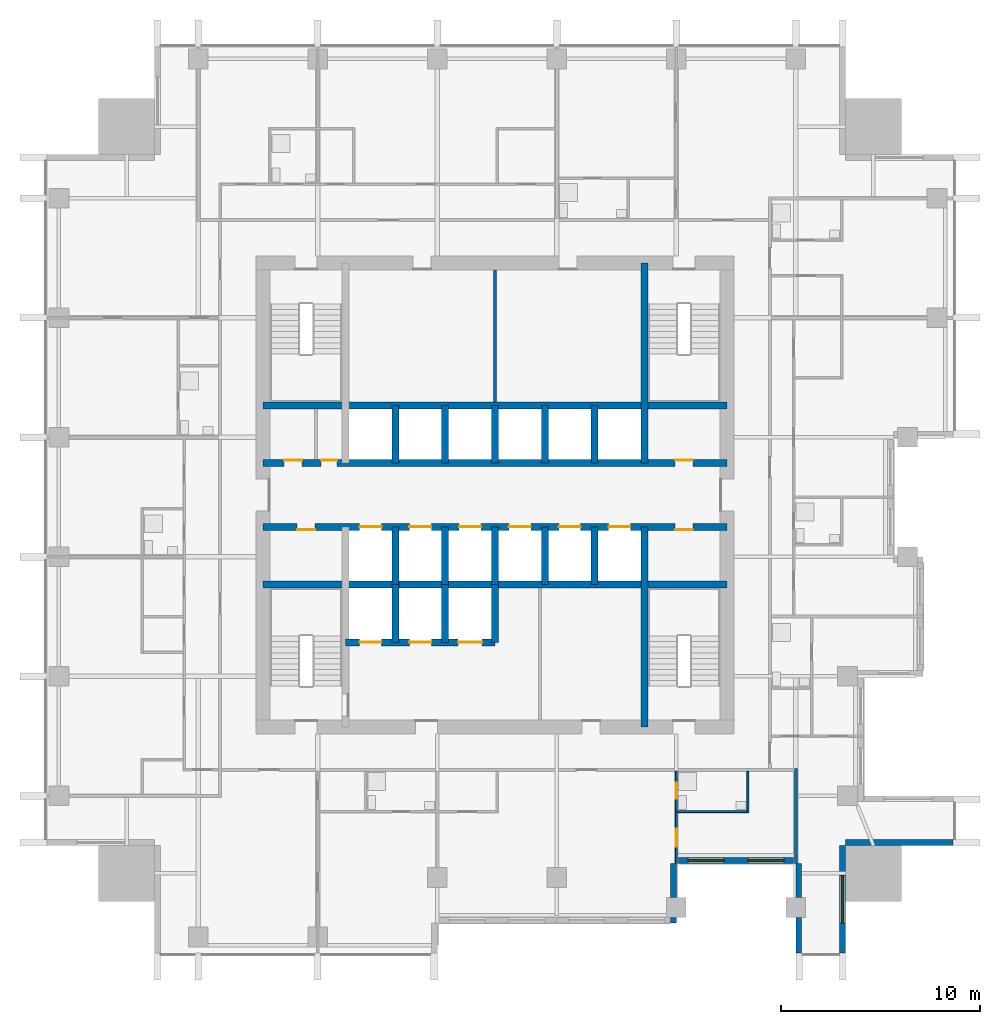
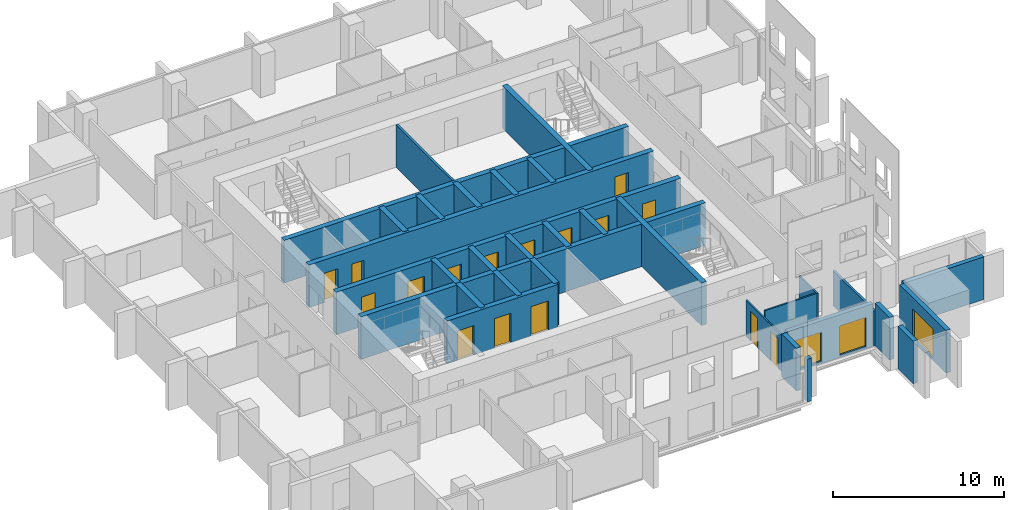
# One storey, part 5 of 11: 32 walls, 16 doors, 3 windows, 19 openings.
"""IFC4 building model written with IfcOpenShell, lengths in metres."""

from ifc_helpers import new_model, si_unit, direction, frame, frame_2d, origin, place, context, subcontext, project, spatial, rectangle, extrude, material, layer, layer_set, type_object, element, fill, save


model = new_model("IFC4")

# Units and contexts
model_context = context("Model", 3, precision=1e-05, world=origin(), true_north=direction((0.0, 1.0)))
body_context = subcontext(model_context, "Body", "Model", "MODEL_VIEW")
ifc_project = project(units=[si_unit("LENGTHUNIT", "METRE"), si_unit("AREAUNIT", "SQUARE_METRE"), si_unit("VOLUMEUNIT", "CUBIC_METRE"), si_unit("PLANEANGLEUNIT", "RADIAN"), si_unit("MASSUNIT", "GRAM", prefix="KILO")], contexts=[model_context])

# Site, building, storey
site_placement = place(None, origin())
site = spatial("IfcSite", under=ifc_project, at=site_placement, CompositionType="ELEMENT")
building_placement = place(site_placement, origin())
building = spatial("IfcBuilding", under=site, at=building_placement, Name="Amberfall Residences", CompositionType="ELEMENT")
storey_placement = place(building_placement, frame((0.0, 0.0, 143.800048828125)))
storey = spatial("IfcBuildingStorey", under=building, at=storey_placement, Name="L38", CompositionType="ELEMENT", Elevation=143.800048828125)

# Walls
ifc_material_1 = material(Name="Pale stone cladding on insulated backing", Category="masonry")
ifc_layer_1 = layer(ifc_material_1, 0.300048828125)
ifc_layer_set_1 = layer_set([ifc_layer_1], Name="Bronze clad wall 300")
wall_type_1 = type_object("IfcWallType", Name="Bronze clad wall 300", PredefinedType="SOLIDWALL", material=ifc_layer_set_1)
wall_1_placement = place(storey_placement, frame((83.449951171875, 24.0, 0.0), z_axis=(0.0, 0.0, 1.0), x_axis=(0.0, 1.0, 0.0)))
element("IfcWall", 1, at=wall_1_placement, inside=storey, type_object=wall_type_1, Name="External wall L38 S", PredefinedType="SOLIDWALL", context=body_context, shape_type="SweptSolid", body=[
    extrude(rectangle(XDim=0.300048828125, YDim=0.300048828125, at=frame_2d((0.14990234375, 0.0))), origin(), (0.0, 0.0, 1.0), 3.050048828125),
])
for number, where, z_axis, x_axis, name in (
    (2, (83.449951171875, 25.300048828125, 0.0), (0.0, 0.0, 1.0), (0.0, 1.0, 0.0), "External wall L38 S"),
    (3, (89.75, 27.0, 0.0), (0.0, 0.0, 1.0), (0.0, -1.0, 0.0), "External wall L38 S"),
):
    element("IfcWall", number, at=place(storey_placement, frame(where, z_axis=z_axis, x_axis=x_axis)), inside=storey, type_object=wall_type_1, Name=name, PredefinedType="SOLIDWALL", context=body_context, shape_type="SweptSolid", body=[
        extrude(rectangle(XDim=1.699951171875, YDim=0.300048828125, at=frame_2d((0.85009765625, 0.0))), origin(), (0.0, 0.0, 1.0), 3.050048828125),
    ])
wall_2_placement = place(storey_placement, frame((89.75, 24.300048828125, 0.0), z_axis=(0.0, 0.0, 1.0), x_axis=(0.0, -1.0, 0.0)))
element("IfcWall", 4, at=wall_2_placement, inside=storey, type_object=wall_type_1, Name="External wall L38 S", PredefinedType="SOLIDWALL", context=body_context, shape_type="SweptSolid", body=[
    extrude(rectangle(XDim=1.800048828125, YDim=0.300048828125, at=frame_2d((0.89990234375, 0.0))), origin(), (0.0, 0.0, 1.0), 3.050048828125),
])

# Wall, opening, window
wall_3_placement = place(storey_placement, frame((91.949951171875, 22.5, 0.0), z_axis=(0.0, 0.0, 1.0), x_axis=(0.0, 1.0, 0.0)))
wall_3 = element("IfcWall", 5, at=wall_3_placement, inside=storey, type_object=wall_type_1, Name="External wall L38 SE", PredefinedType="SOLIDWALL", context=body_context, shape_type="SweptSolid", body=[
    extrude(rectangle(XDim=5.39990234375, YDim=0.300048828125, at=frame_2d((2.699951171875, 0.0))), origin(), (0.0, 0.0, 1.0), 3.050048828125),
])
opening_1_placement = place(wall_3_placement, frame((1.5, 0.0, 0.14990234375)))
opening_1 = element("IfcOpeningElement", 6, at=opening_1_placement, cuts=wall_3, Name="Opening WN5", PredefinedType="OPENING", context=body_context, shape_type="SweptSolid", body=[
    extrude(rectangle(XDim=2.39990234375, YDim=2.10009765625, at=frame_2d((1.199951171875, 1.050048828125))), frame((0.0, 0.159912109375, 0.0), z_axis=(0.0, -1.0, 0.0), x_axis=(1.0, 0.0, 0.0)), (0.0, 0.0, 1.0), 0.320068359375),
])
ifc_material_2 = material(Name="Bronze aluminium framed glazing", Category="aluminium")
window_type_1 = type_object("IfcWindowType", Name="Glazed opening 2400 x 2100 bronze", PartitioningType="DOUBLE_PANEL_VERTICAL", PredefinedType="WINDOW", material=ifc_material_2)
window_1_placement = place(opening_1_placement, origin())
window_1 = element("IfcWindow", 7, at=window_1_placement, inside=storey, type_object=window_type_1, Name="Window L38 SE", OverallHeight=2.10009765625, OverallWidth=2.39990234375, PartitioningType="DOUBLE_PANEL_VERTICAL", PredefinedType="WINDOW", context=body_context, shape_type="SweptSolid", body=[
    extrude(rectangle(XDim=2.39990234375, YDim=2.10009765625, at=frame_2d((1.199951171875, 1.050048828125))), frame((0.0, 0.030029296875, 0.0), z_axis=(0.0, -1.0, 0.0), x_axis=(1.0, 0.0, 0.0)), (0.0, 0.0, 1.0), 0.06005859375),
])
fill(opening_1, window_1)

# Wall
wall_4_placement = place(storey_placement, frame((92.10009765625, 28.050048828125, 0.0), z_axis=(0.0, 0.0, 1.0), x_axis=(1.0, 0.0, 0.0)))
element("IfcWall", 8, at=wall_4_placement, inside=storey, type_object=wall_type_1, Name="External wall L38 SE", PredefinedType="SOLIDWALL", context=body_context, shape_type="SweptSolid", body=[
    extrude(rectangle(XDim=5.39990234375, YDim=0.300048828125, at=frame_2d((2.699951171875, 0.0))), origin(), (0.0, 0.0, 1.0), 3.050048828125),
])

# Wall, openings, windows
wall_5_placement = place(storey_placement, frame((83.699951171875, 27.14990234375, 0.0), z_axis=(0.0, 0.0, 1.0), x_axis=(1.0, 0.0, 0.0)))
wall_5 = element("IfcWall", 9, at=wall_5_placement, inside=storey, type_object=wall_type_1, Name="Stone wall L38 S", PredefinedType="SOLIDWALL", context=body_context, shape_type="SweptSolid", body=[
    extrude(rectangle(XDim=5.7900390625, YDim=0.300048828125, at=frame_2d((2.89501953125, 0.0))), origin(), (0.0, 0.0, 1.0), 3.050048828125),
])
opening_2_placement = place(wall_5_placement, frame((0.5, 0.0, 0.14990234375)))
opening_2 = element("IfcOpeningElement", 10, at=opening_2_placement, cuts=wall_5, Name="Opening WN6", PredefinedType="OPENING", context=body_context, shape_type="SweptSolid", body=[
    extrude(rectangle(XDim=1.800048828125, YDim=2.10009765625, at=frame_2d((0.89990234375, 1.050048828125))), frame((0.0, 0.159912109375, 0.0), z_axis=(0.0, -1.0, 0.0), x_axis=(1.0, 0.0, 0.0)), (0.0, 0.0, 1.0), 0.320068359375),
])
opening_3_placement = place(wall_5_placement, frame((3.5, 0.0, 0.14990234375)))
opening_3 = element("IfcOpeningElement", 11, at=opening_3_placement, cuts=wall_5, Name="Opening WN6", PredefinedType="OPENING", context=body_context, shape_type="SweptSolid", body=[
    extrude(rectangle(XDim=1.800048828125, YDim=2.10009765625, at=frame_2d((0.89990234375, 1.050048828125))), frame((0.0, 0.159912109375, 0.0), z_axis=(0.0, -1.0, 0.0), x_axis=(1.0, 0.0, 0.0)), (0.0, 0.0, 1.0), 0.320068359375),
])
window_type_2 = type_object("IfcWindowType", Name="Glazed opening 1800 x 2100 bronze", PartitioningType="DOUBLE_PANEL_VERTICAL", PredefinedType="WINDOW", material=ifc_material_2)
window_2_placement = place(opening_2_placement, origin())
window_2 = element("IfcWindow", 12, at=window_2_placement, inside=storey, type_object=window_type_2, Name="Window L38 S", OverallHeight=2.10009765625, OverallWidth=1.800048828125, PartitioningType="DOUBLE_PANEL_VERTICAL", PredefinedType="WINDOW", context=body_context, shape_type="SweptSolid", body=[
    extrude(rectangle(XDim=1.800048828125, YDim=2.10009765625, at=frame_2d((0.89990234375, 1.050048828125))), frame((0.0, 0.030029296875, 0.0), z_axis=(0.0, -1.0, 0.0), x_axis=(1.0, 0.0, 0.0)), (0.0, 0.0, 1.0), 0.06005859375),
])
fill(opening_2, window_2)
window_3_placement = place(opening_3_placement, origin())
window_3 = element("IfcWindow", 13, at=window_3_placement, inside=storey, type_object=window_type_2, Name="Window L38 S", OverallHeight=2.10009765625, OverallWidth=1.800048828125, PartitioningType="DOUBLE_PANEL_VERTICAL", PredefinedType="WINDOW", context=body_context, shape_type="SweptSolid", body=[
    extrude(rectangle(XDim=1.800048828125, YDim=2.10009765625, at=frame_2d((0.89990234375, 1.050048828125))), frame((0.0, 0.030029296875, 0.0), z_axis=(0.0, -1.0, 0.0), x_axis=(1.0, 0.0, 0.0)), (0.0, 0.0, 1.0), 0.06005859375),
])
fill(opening_3, window_3)

# Wall
ifc_material_3 = material(Name="Concrete C60", Category="concrete")
ifc_layer_2 = layer(ifc_material_3, 0.35009765625)
ifc_layer_set_2 = layer_set([ifc_layer_2], Name="Core wall 350 C60")
wall_type_2 = type_object("IfcWallType", Name="Core wall 350 C60", PredefinedType="SHEAR", material=ifc_layer_set_2)
wall_6_placement = place(storey_placement, frame((62.85009765625, 41.0, 0.0), z_axis=(0.0, 0.0, 1.0), x_axis=(1.0, 0.0, 0.0)))
element("IfcWall", 14, at=wall_6_placement, inside=storey, type_object=wall_type_2, Name="Core wall RW6 L38 H75", PredefinedType="SHEAR", context=body_context, shape_type="SweptSolid", body=[
    extrude(rectangle(XDim=23.2998046875, YDim=0.35009765625, at=frame_2d((11.64990234375, 0.0))), origin(), (0.0, 0.0, 1.0), 3.050048828125),
])

# Wall, openings, doors
wall_7_placement = place(storey_placement, frame((62.85009765625, 43.89990234375, 0.0), z_axis=(0.0, 0.0, 1.0), x_axis=(1.0, 0.0, 0.0)))
wall_7 = element("IfcWall", 15, at=wall_7_placement, inside=storey, type_object=wall_type_2, Name="Core wall RW6 L38 H104", PredefinedType="SHEAR", context=body_context, shape_type="SweptSolid", body=[
    extrude(rectangle(XDim=23.2998046875, YDim=0.35009765625, at=frame_2d((11.64990234375, 0.0))), origin(), (0.0, 0.0, 1.0), 3.050048828125),
])
opening_4_placement = place(wall_7_placement, frame((1.71240234375, 0.0, 0.0)))
opening_4 = element("IfcOpeningElement", 16, at=opening_4_placement, cuts=wall_7, Name="Opening RD1", PredefinedType="OPENING", context=body_context, shape_type="SweptSolid", body=[
    extrude(rectangle(XDim=0.89990234375, YDim=2.10009765625, at=frame_2d((0.449951171875, 1.050048828125))), frame((0.0, 0.18505859375, 0.0), z_axis=(0.0, -1.0, 0.0), x_axis=(1.0, 0.0, 0.0)), (0.0, 0.0, 1.0), 0.3701171875),
])
opening_5_placement = place(wall_7_placement, frame((20.6875, 0.0, 0.0)))
opening_5 = element("IfcOpeningElement", 17, at=opening_5_placement, cuts=wall_7, Name="Opening RD1", PredefinedType="OPENING", context=body_context, shape_type="SweptSolid", body=[
    extrude(rectangle(XDim=0.89990234375, YDim=2.10009765625, at=frame_2d((0.449951171875, 1.050048828125))), frame((0.0, 0.18505859375, 0.0), z_axis=(0.0, -1.0, 0.0), x_axis=(1.0, 0.0, 0.0)), (0.0, 0.0, 1.0), 0.3701171875),
])
opening_6_placement = place(wall_7_placement, frame((4.85009765625, 0.0, 0.0)))
opening_6 = element("IfcOpeningElement", 18, at=opening_6_placement, cuts=wall_7, Name="Opening LD1", PredefinedType="OPENING", context=body_context, shape_type="SweptSolid", body=[
    extrude(rectangle(XDim=1.10009765625, YDim=2.10009765625, at=frame_2d((0.550048828125, 1.050048828125))), frame((0.0, 0.18505859375, 0.0), z_axis=(0.0, -1.0, 0.0), x_axis=(1.0, 0.0, 0.0)), (0.0, 0.0, 1.0), 0.3701171875),
])
opening_7_placement = place(wall_7_placement, frame((7.35009765625, 0.0, 0.0)))
opening_7 = element("IfcOpeningElement", 19, at=opening_7_placement, cuts=wall_7, Name="Opening LD1", PredefinedType="OPENING", context=body_context, shape_type="SweptSolid", body=[
    extrude(rectangle(XDim=1.10009765625, YDim=2.10009765625, at=frame_2d((0.550048828125, 1.050048828125))), frame((0.0, 0.18505859375, 0.0), z_axis=(0.0, -1.0, 0.0), x_axis=(1.0, 0.0, 0.0)), (0.0, 0.0, 1.0), 0.3701171875),
])
opening_8_placement = place(wall_7_placement, frame((9.85009765625, 0.0, 0.0)))
opening_8 = element("IfcOpeningElement", 20, at=opening_8_placement, cuts=wall_7, Name="Opening LD1", PredefinedType="OPENING", context=body_context, shape_type="SweptSolid", body=[
    extrude(rectangle(XDim=1.10009765625, YDim=2.10009765625, at=frame_2d((0.550048828125, 1.050048828125))), frame((0.0, 0.18505859375, 0.0), z_axis=(0.0, -1.0, 0.0), x_axis=(1.0, 0.0, 0.0)), (0.0, 0.0, 1.0), 0.3701171875),
])
opening_9_placement = place(wall_7_placement, frame((12.35009765625, 0.0, 0.0)))
opening_9 = element("IfcOpeningElement", 21, at=opening_9_placement, cuts=wall_7, Name="Opening LD1", PredefinedType="OPENING", context=body_context, shape_type="SweptSolid", body=[
    extrude(rectangle(XDim=1.10009765625, YDim=2.10009765625, at=frame_2d((0.550048828125, 1.050048828125))), frame((0.0, 0.18505859375, 0.0), z_axis=(0.0, -1.0, 0.0), x_axis=(1.0, 0.0, 0.0)), (0.0, 0.0, 1.0), 0.3701171875),
])
opening_10_placement = place(wall_7_placement, frame((14.85009765625, 0.0, 0.0)))
opening_10 = element("IfcOpeningElement", 22, at=opening_10_placement, cuts=wall_7, Name="Opening LD1", PredefinedType="OPENING", context=body_context, shape_type="SweptSolid", body=[
    extrude(rectangle(XDim=1.10009765625, YDim=2.10009765625, at=frame_2d((0.550048828125, 1.050048828125))), frame((0.0, 0.18505859375, 0.0), z_axis=(0.0, -1.0, 0.0), x_axis=(1.0, 0.0, 0.0)), (0.0, 0.0, 1.0), 0.3701171875),
])
opening_11_placement = place(wall_7_placement, frame((17.35009765625, 0.0, 0.0)))
opening_11 = element("IfcOpeningElement", 23, at=opening_11_placement, cuts=wall_7, Name="Opening LD1", PredefinedType="OPENING", context=body_context, shape_type="SweptSolid", body=[
    extrude(rectangle(XDim=1.10009765625, YDim=2.10009765625, at=frame_2d((0.550048828125, 1.050048828125))), frame((0.0, 0.18505859375, 0.0), z_axis=(0.0, -1.0, 0.0), x_axis=(1.0, 0.0, 0.0)), (0.0, 0.0, 1.0), 0.3701171875),
])
ifc_material_4 = material(Name="Steel fire door set", Category="steel")
door_type_1 = type_object("IfcDoorType", Name="Lift landing door 1100 x 2100", OperationType="DOUBLE_DOOR_SLIDING", PredefinedType="DOOR", material=ifc_material_4)
door_1_placement = place(opening_6_placement, origin())
door_1 = element("IfcDoor", 24, at=door_1_placement, inside=storey, type_object=door_type_1, Name="Landing door LP1 L38", OperationType="DOUBLE_DOOR_SLIDING", OverallHeight=2.10009765625, OverallWidth=1.10009765625, PredefinedType="DOOR", context=body_context, shape_type="SweptSolid", body=[
    extrude(rectangle(XDim=1.10009765625, YDim=2.10009765625, at=frame_2d((0.550048828125, 1.050048828125))), frame((0.0, 0.02490234375, 0.0), z_axis=(0.0, -1.0, 0.0), x_axis=(1.0, 0.0, 0.0)), (0.0, 0.0, 1.0), 0.050048828125),
])
fill(opening_6, door_1)
door_2_placement = place(opening_7_placement, origin())
door_2 = element("IfcDoor", 25, at=door_2_placement, inside=storey, type_object=door_type_1, Name="Landing door LP2 L38", OperationType="DOUBLE_DOOR_SLIDING", OverallHeight=2.10009765625, OverallWidth=1.10009765625, PredefinedType="DOOR", context=body_context, shape_type="SweptSolid", body=[
    extrude(rectangle(XDim=1.10009765625, YDim=2.10009765625, at=frame_2d((0.550048828125, 1.050048828125))), frame((0.0, 0.02490234375, 0.0), z_axis=(0.0, -1.0, 0.0), x_axis=(1.0, 0.0, 0.0)), (0.0, 0.0, 1.0), 0.050048828125),
])
fill(opening_7, door_2)
door_3_placement = place(opening_8_placement, origin())
door_3 = element("IfcDoor", 26, at=door_3_placement, inside=storey, type_object=door_type_1, Name="Landing door LP3 L38", OperationType="DOUBLE_DOOR_SLIDING", OverallHeight=2.10009765625, OverallWidth=1.10009765625, PredefinedType="DOOR", context=body_context, shape_type="SweptSolid", body=[
    extrude(rectangle(XDim=1.10009765625, YDim=2.10009765625, at=frame_2d((0.550048828125, 1.050048828125))), frame((0.0, 0.02490234375, 0.0), z_axis=(0.0, -1.0, 0.0), x_axis=(1.0, 0.0, 0.0)), (0.0, 0.0, 1.0), 0.050048828125),
])
fill(opening_8, door_3)
door_4_placement = place(opening_9_placement, origin())
door_4 = element("IfcDoor", 27, at=door_4_placement, inside=storey, type_object=door_type_1, Name="Landing door LP4 L38", OperationType="DOUBLE_DOOR_SLIDING", OverallHeight=2.10009765625, OverallWidth=1.10009765625, PredefinedType="DOOR", context=body_context, shape_type="SweptSolid", body=[
    extrude(rectangle(XDim=1.10009765625, YDim=2.10009765625, at=frame_2d((0.550048828125, 1.050048828125))), frame((0.0, 0.02490234375, 0.0), z_axis=(0.0, -1.0, 0.0), x_axis=(1.0, 0.0, 0.0)), (0.0, 0.0, 1.0), 0.050048828125),
])
fill(opening_9, door_4)
door_5_placement = place(opening_10_placement, origin())
door_5 = element("IfcDoor", 28, at=door_5_placement, inside=storey, type_object=door_type_1, Name="Landing door LP5 L38", OperationType="DOUBLE_DOOR_SLIDING", OverallHeight=2.10009765625, OverallWidth=1.10009765625, PredefinedType="DOOR", context=body_context, shape_type="SweptSolid", body=[
    extrude(rectangle(XDim=1.10009765625, YDim=2.10009765625, at=frame_2d((0.550048828125, 1.050048828125))), frame((0.0, 0.02490234375, 0.0), z_axis=(0.0, -1.0, 0.0), x_axis=(1.0, 0.0, 0.0)), (0.0, 0.0, 1.0), 0.050048828125),
])
fill(opening_10, door_5)
door_6_placement = place(opening_11_placement, origin())
door_6 = element("IfcDoor", 29, at=door_6_placement, inside=storey, type_object=door_type_1, Name="Landing door LP6 L38", OperationType="DOUBLE_DOOR_SLIDING", OverallHeight=2.10009765625, OverallWidth=1.10009765625, PredefinedType="DOOR", context=body_context, shape_type="SweptSolid", body=[
    extrude(rectangle(XDim=1.10009765625, YDim=2.10009765625, at=frame_2d((0.550048828125, 1.050048828125))), frame((0.0, 0.02490234375, 0.0), z_axis=(0.0, -1.0, 0.0), x_axis=(1.0, 0.0, 0.0)), (0.0, 0.0, 1.0), 0.050048828125),
])
fill(opening_11, door_6)
door_type_2 = type_object("IfcDoorType", Name="Service room door 900 x 2100", OperationType="SINGLE_SWING_LEFT", PredefinedType="DOOR", material=ifc_material_4)
door_7_placement = place(opening_4_placement, origin())
door_7 = element("IfcDoor", 30, at=door_7_placement, inside=storey, type_object=door_type_2, Name="RD1 L38", OperationType="SINGLE_SWING_LEFT", OverallHeight=2.10009765625, OverallWidth=0.89990234375, PredefinedType="DOOR", context=body_context, shape_type="SweptSolid", body=[
    extrude(rectangle(XDim=0.89990234375, YDim=2.10009765625, at=frame_2d((0.449951171875, 1.050048828125))), frame((0.0, -0.1123046875, 0.0), z_axis=(0.0, -1.0, 0.0), x_axis=(1.0, 0.0, 0.0)), (0.0, 0.0, 1.0), 0.050048828125),
])
fill(opening_4, door_7)
door_8_placement = place(opening_5_placement, origin())
door_8 = element("IfcDoor", 31, at=door_8_placement, inside=storey, type_object=door_type_2, Name="RD1 L38", OperationType="SINGLE_SWING_LEFT", OverallHeight=2.10009765625, OverallWidth=0.89990234375, PredefinedType="DOOR", context=body_context, shape_type="SweptSolid", body=[
    extrude(rectangle(XDim=0.89990234375, YDim=2.10009765625, at=frame_2d((0.449951171875, 1.050048828125))), frame((0.0, -0.1123046875, 0.0), z_axis=(0.0, -1.0, 0.0), x_axis=(1.0, 0.0, 0.0)), (0.0, 0.0, 1.0), 0.050048828125),
])
fill(opening_5, door_8)

wall_8_placement = place(storey_placement, frame((62.85009765625, 47.10009765625, 0.0), z_axis=(0.0, 0.0, 1.0), x_axis=(1.0, 0.0, 0.0)))
wall_8 = element("IfcWall", 32, at=wall_8_placement, inside=storey, type_object=wall_type_2, Name="Core wall RW6 L38 H136", PredefinedType="SHEAR", context=body_context, shape_type="SweptSolid", body=[
    extrude(rectangle(XDim=23.2998046875, YDim=0.35009765625, at=frame_2d((11.64990234375, 0.0))), origin(), (0.0, 0.0, 1.0), 3.050048828125),
])
opening_12_placement = place(wall_8_placement, frame((1.06005859375, 0.0, 0.0)))
opening_12 = element("IfcOpeningElement", 33, at=opening_12_placement, cuts=wall_8, Name="Opening RD1", PredefinedType="OPENING", context=body_context, shape_type="SweptSolid", body=[
    extrude(rectangle(XDim=0.89990234375, YDim=2.10009765625, at=frame_2d((0.449951171875, 1.050048828125))), frame((0.0, 0.18505859375, 0.0), z_axis=(0.0, -1.0, 0.0), x_axis=(1.0, 0.0, 0.0)), (0.0, 0.0, 1.0), 0.3701171875),
])
opening_13_placement = place(wall_8_placement, frame((2.922607421875, 0.0, 0.0)))
opening_13 = element("IfcOpeningElement", 34, at=opening_13_placement, cuts=wall_8, Name="Opening RD2", PredefinedType="OPENING", context=body_context, shape_type="SweptSolid", body=[
    extrude(rectangle(XDim=0.800048828125, YDim=2.10009765625, at=frame_2d((0.39990234375, 1.050048828125))), frame((0.0, 0.18505859375, 0.0), z_axis=(0.0, -1.0, 0.0), x_axis=(1.0, 0.0, 0.0)), (0.0, 0.0, 1.0), 0.3701171875),
])
opening_14_placement = place(wall_8_placement, frame((20.6875, 0.0, 0.0)))
opening_14 = element("IfcOpeningElement", 35, at=opening_14_placement, cuts=wall_8, Name="Opening RD1", PredefinedType="OPENING", context=body_context, shape_type="SweptSolid", body=[
    extrude(rectangle(XDim=0.89990234375, YDim=2.10009765625, at=frame_2d((0.449951171875, 1.050048828125))), frame((0.0, 0.18505859375, 0.0), z_axis=(0.0, -1.0, 0.0), x_axis=(1.0, 0.0, 0.0)), (0.0, 0.0, 1.0), 0.3701171875),
])
door_type_3 = type_object("IfcDoorType", Name="Service room door 800 x 2100", OperationType="SINGLE_SWING_LEFT", PredefinedType="DOOR", material=ifc_material_4)
door_9_placement = place(opening_13_placement, origin())
door_9 = element("IfcDoor", 36, at=door_9_placement, inside=storey, type_object=door_type_3, Name="RD2 L38", OperationType="SINGLE_SWING_RIGHT", OverallHeight=2.10009765625, OverallWidth=0.800048828125, PredefinedType="DOOR", context=body_context, shape_type="SweptSolid", body=[
    extrude(rectangle(XDim=0.800048828125, YDim=2.10009765625, at=frame_2d((0.39990234375, 1.050048828125))), frame((0.0, 0.16259765625, 0.0), z_axis=(0.0, -1.0, 0.0), x_axis=(1.0, 0.0, 0.0)), (0.0, 0.0, 1.0), 0.050048828125),
])
fill(opening_13, door_9)
door_10_placement = place(opening_12_placement, origin())
door_10 = element("IfcDoor", 37, at=door_10_placement, inside=storey, type_object=door_type_2, Name="RD1 L38", OperationType="SINGLE_SWING_LEFT", OverallHeight=2.10009765625, OverallWidth=0.89990234375, PredefinedType="DOOR", context=body_context, shape_type="SweptSolid", body=[
    extrude(rectangle(XDim=0.89990234375, YDim=2.10009765625, at=frame_2d((0.449951171875, 1.050048828125))), frame((0.0, 0.16259765625, 0.0), z_axis=(0.0, -1.0, 0.0), x_axis=(1.0, 0.0, 0.0)), (0.0, 0.0, 1.0), 0.050048828125),
])
fill(opening_12, door_10)
door_11_placement = place(opening_14_placement, origin())
door_11 = element("IfcDoor", 38, at=door_11_placement, inside=storey, type_object=door_type_2, Name="RD1 L38", OperationType="SINGLE_SWING_LEFT", OverallHeight=2.10009765625, OverallWidth=0.89990234375, PredefinedType="DOOR", context=body_context, shape_type="SweptSolid", body=[
    extrude(rectangle(XDim=0.89990234375, YDim=2.10009765625, at=frame_2d((0.449951171875, 1.050048828125))), frame((0.0, 0.16259765625, 0.0), z_axis=(0.0, -1.0, 0.0), x_axis=(1.0, 0.0, 0.0)), (0.0, 0.0, 1.0), 0.050048828125),
])
fill(opening_14, door_11)

# Walls
wall_9_placement = place(storey_placement, frame((62.85009765625, 50.0, 0.0), z_axis=(0.0, 0.0, 1.0), x_axis=(1.0, 0.0, 0.0)))
element("IfcWall", 39, at=wall_9_placement, inside=storey, type_object=wall_type_2, Name="Core wall RW6 L38 H165", PredefinedType="SHEAR", context=body_context, shape_type="SweptSolid", body=[
    extrude(rectangle(XDim=23.2998046875, YDim=0.35009765625, at=frame_2d((11.64990234375, 0.0))), origin(), (0.0, 0.0, 1.0), 3.050048828125),
])
for number, where, z_axis, x_axis, name in (
    (40, (82.0, 33.85009765625, 0.0), (0.0, 0.0, 1.0), (0.0, 1.0, 0.0), "Core wall RW6 L38 V195S"),
    (41, (82.0, 47.10009765625, 0.0), (0.0, 0.0, 1.0), (0.0, 1.0, 0.0), "Core wall RW6 L38 V195N"),
):
    element("IfcWall", number, at=place(storey_placement, frame(where, z_axis=z_axis, x_axis=x_axis)), inside=storey, type_object=wall_type_2, Name=name, PredefinedType="SHEAR", context=body_context, shape_type="SweptSolid", body=[
        extrude(rectangle(XDim=10.0498046875, YDim=0.35009765625, at=frame_2d((5.02490234375, 0.0))), origin(), (0.0, 0.0, 1.0), 3.050048828125),
    ])
for number, where, z_axis, x_axis, name in (
    (42, (69.5, 41.0, 0.0), (0.0, 0.0, 1.0), (0.0, 1.0, 0.0), "Core wall RW6 L38 LPD1"),
    (43, (69.5, 47.10009765625, 0.0), (0.0, 0.0, 1.0), (0.0, 1.0, 0.0), "Core wall RW6 L38 HPD1"),
    (44, (72.0, 41.0, 0.0), (0.0, 0.0, 1.0), (0.0, 1.0, 0.0), "Core wall RW6 L38 LPD2"),
    (45, (72.0, 47.10009765625, 0.0), (0.0, 0.0, 1.0), (0.0, 1.0, 0.0), "Core wall RW6 L38 HPD2"),
    (46, (74.5, 41.0, 0.0), (0.0, 0.0, 1.0), (0.0, 1.0, 0.0), "Core wall RW6 L38 LPD3"),
    (47, (74.5, 47.10009765625, 0.0), (0.0, 0.0, 1.0), (0.0, 1.0, 0.0), "Core wall RW6 L38 HPD3"),
    (48, (77.0, 41.0, 0.0), (0.0, 0.0, 1.0), (0.0, 1.0, 0.0), "Core wall RW6 L38 LPD4"),
    (49, (77.0, 47.10009765625, 0.0), (0.0, 0.0, 1.0), (0.0, 1.0, 0.0), "Core wall RW6 L38 HPD4"),
    (50, (79.5, 41.0, 0.0), (0.0, 0.0, 1.0), (0.0, 1.0, 0.0), "Core wall RW6 L38 LPD5"),
    (51, (79.5, 47.10009765625, 0.0), (0.0, 0.0, 1.0), (0.0, 1.0, 0.0), "Core wall RW6 L38 HPD5"),
):
    element("IfcWall", number, at=place(storey_placement, frame(where, z_axis=z_axis, x_axis=x_axis)), inside=storey, type_object=wall_type_2, Name=name, PredefinedType="SHEAR", context=body_context, shape_type="SweptSolid", body=[
        extrude(rectangle(XDim=2.89990234375, YDim=0.35009765625, at=frame_2d((1.449951171875, 0.0))), origin(), (0.0, 0.0, 1.0), 3.050048828125),
    ])

# Wall, openings, doors
wall_10_placement = place(storey_placement, frame((67.0, 38.10009765625, 0.0), z_axis=(0.0, 0.0, 1.0), x_axis=(1.0, 0.0, 0.0)))
wall_10 = element("IfcWall", 52, at=wall_10_placement, inside=storey, type_object=wall_type_2, Name="Core wall RW6 L38 FFF", PredefinedType="SHEAR", context=body_context, shape_type="SweptSolid", body=[
    extrude(rectangle(XDim=7.5, YDim=0.35009765625, at=frame_2d((3.75, 0.0))), origin(), (0.0, 0.0, 1.0), 3.050048828125),
])
opening_15_placement = place(wall_10_placement, frame((0.699951171875, 0.0, 0.0)))
opening_15 = element("IfcOpeningElement", 53, at=opening_15_placement, cuts=wall_10, Name="Opening LD2", PredefinedType="OPENING", context=body_context, shape_type="SweptSolid", body=[
    extrude(rectangle(XDim=1.10009765625, YDim=2.10009765625, at=frame_2d((0.550048828125, 1.050048828125))), frame((0.0, 0.18505859375, 0.0), z_axis=(0.0, -1.0, 0.0), x_axis=(1.0, 0.0, 0.0)), (0.0, 0.0, 1.0), 0.3701171875),
])
opening_16_placement = place(wall_10_placement, frame((3.199951171875, 0.0, 0.0)))
opening_16 = element("IfcOpeningElement", 54, at=opening_16_placement, cuts=wall_10, Name="Opening LD2", PredefinedType="OPENING", context=body_context, shape_type="SweptSolid", body=[
    extrude(rectangle(XDim=1.10009765625, YDim=2.10009765625, at=frame_2d((0.550048828125, 1.050048828125))), frame((0.0, 0.18505859375, 0.0), z_axis=(0.0, -1.0, 0.0), x_axis=(1.0, 0.0, 0.0)), (0.0, 0.0, 1.0), 0.3701171875),
])
opening_17_placement = place(wall_10_placement, frame((5.64990234375, 0.0, 0.0)))
opening_17 = element("IfcOpeningElement", 55, at=opening_17_placement, cuts=wall_10, Name="Opening LD3", PredefinedType="OPENING", context=body_context, shape_type="SweptSolid", body=[
    extrude(rectangle(XDim=1.199951171875, YDim=2.10009765625, at=frame_2d((0.60009765625, 1.050048828125))), frame((0.0, 0.18505859375, 0.0), z_axis=(0.0, -1.0, 0.0), x_axis=(1.0, 0.0, 0.0)), (0.0, 0.0, 1.0), 0.3701171875),
])
door_type_4 = type_object("IfcDoorType", Name="Firefighting lift landing door 1100 x 2100", OperationType="DOUBLE_DOOR_SLIDING", PredefinedType="DOOR", material=ifc_material_4)
door_12_placement = place(opening_15_placement, origin())
door_12 = element("IfcDoor", 56, at=door_12_placement, inside=storey, type_object=door_type_4, Name="Landing door FF1 L38", OperationType="DOUBLE_DOOR_SLIDING", OverallHeight=2.10009765625, OverallWidth=1.10009765625, PredefinedType="DOOR", context=body_context, shape_type="SweptSolid", body=[
    extrude(rectangle(XDim=1.10009765625, YDim=2.10009765625, at=frame_2d((0.550048828125, 1.050048828125))), frame((0.0, 0.02490234375, 0.0), z_axis=(0.0, -1.0, 0.0), x_axis=(1.0, 0.0, 0.0)), (0.0, 0.0, 1.0), 0.050048828125),
])
fill(opening_15, door_12)
door_13_placement = place(opening_16_placement, origin())
door_13 = element("IfcDoor", 57, at=door_13_placement, inside=storey, type_object=door_type_4, Name="Landing door FF2 L38", OperationType="DOUBLE_DOOR_SLIDING", OverallHeight=2.10009765625, OverallWidth=1.10009765625, PredefinedType="DOOR", context=body_context, shape_type="SweptSolid", body=[
    extrude(rectangle(XDim=1.10009765625, YDim=2.10009765625, at=frame_2d((0.550048828125, 1.050048828125))), frame((0.0, 0.02490234375, 0.0), z_axis=(0.0, -1.0, 0.0), x_axis=(1.0, 0.0, 0.0)), (0.0, 0.0, 1.0), 0.050048828125),
])
fill(opening_16, door_13)
door_type_5 = type_object("IfcDoorType", Name="Service lift landing door 1200 x 2100", OperationType="DOUBLE_DOOR_SLIDING", PredefinedType="DOOR", material=ifc_material_4)
door_14_placement = place(opening_17_placement, origin())
door_14 = element("IfcDoor", 58, at=door_14_placement, inside=storey, type_object=door_type_5, Name="Landing door SL1 L38", OperationType="DOUBLE_DOOR_SLIDING", OverallHeight=2.10009765625, OverallWidth=1.199951171875, PredefinedType="DOOR", context=body_context, shape_type="SweptSolid", body=[
    extrude(rectangle(XDim=1.199951171875, YDim=2.10009765625, at=frame_2d((0.60009765625, 1.050048828125))), frame((0.0, 0.02490234375, 0.0), z_axis=(0.0, -1.0, 0.0), x_axis=(1.0, 0.0, 0.0)), (0.0, 0.0, 1.0), 0.050048828125),
])
fill(opening_17, door_14)

# Walls
for number, where, z_axis, x_axis, name in (
    (59, (69.5, 38.10009765625, 0.0), (0.0, 0.0, 1.0), (0.0, 1.0, 0.0), "Core wall RW6 L38 FFD1"),
    (60, (72.0, 38.10009765625, 0.0), (0.0, 0.0, 1.0), (0.0, 1.0, 0.0), "Core wall RW6 L38 FFD2"),
    (61, (74.5, 38.10009765625, 0.0), (0.0, 0.0, 1.0), (0.0, 1.0, 0.0), "Core wall RW6 L38 FFD3"),
):
    element("IfcWall", number, at=place(storey_placement, frame(where, z_axis=z_axis, x_axis=x_axis)), inside=storey, type_object=wall_type_2, Name=name, PredefinedType="SHEAR", context=body_context, shape_type="SweptSolid", body=[
        extrude(rectangle(XDim=2.89990234375, YDim=0.35009765625, at=frame_2d((1.449951171875, 0.0))), origin(), (0.0, 0.0, 1.0), 3.050048828125),
    ])

# Wall, openings, doors
ifc_material_5 = material(Name="Gypsum board on metal stud")
ifc_layer_3 = layer(ifc_material_5, 0.10009765625)
ifc_layer_set_3 = layer_set([ifc_layer_3], Name="Flat partition 100")
wall_type_3 = type_object("IfcWallType", Name="Flat partition 100", PredefinedType="PARTITIONING", material=ifc_layer_set_3)
wall_11_placement = place(storey_placement, frame((83.60009765625, 31.625, 0.0), z_axis=(0.0, 0.0, 1.0), x_axis=(0.0, -1.0, 0.0)))
wall_11 = element("IfcWall", 62, at=wall_11_placement, inside=storey, type_object=wall_type_3, Name="Partition 014", PredefinedType="PARTITIONING", context=body_context, shape_type="SweptSolid", body=[
    extrude(rectangle(XDim=4.625, YDim=0.10009765625, at=frame_2d((2.3125, 0.0))), origin(), (0.0, 0.0, 1.0), 2.58984375),
])
opening_18_placement = place(wall_11_placement, frame((2.875, 0.0, 0.0)))
opening_18 = element("IfcOpeningElement", 63, at=opening_18_placement, cuts=wall_11, Name="Opening D41", PredefinedType="OPENING", context=body_context, shape_type="SweptSolid", body=[
    extrude(rectangle(XDim=0.89990234375, YDim=2.10009765625, at=frame_2d((0.449951171875, 1.050048828125))), frame((0.0, 0.06005859375, 0.0), z_axis=(0.0, -1.0, 0.0), x_axis=(1.0, 0.0, 0.0)), (0.0, 0.0, 1.0), 0.1201171875),
])
opening_19_placement = place(wall_11_placement, frame((0.574951171875, 0.0, 0.0)))
opening_19 = element("IfcOpeningElement", 64, at=opening_19_placement, cuts=wall_11, Name="Opening D42", PredefinedType="OPENING", context=body_context, shape_type="SweptSolid", body=[
    extrude(rectangle(XDim=0.800048828125, YDim=2.10009765625, at=frame_2d((0.39990234375, 1.050048828125))), frame((0.0, 0.06005859375, 0.0), z_axis=(0.0, -1.0, 0.0), x_axis=(1.0, 0.0, 0.0)), (0.0, 0.0, 1.0), 0.1201171875),
])
ifc_material_6 = material(Name="Timber", Category="wood")
door_type_6 = type_object("IfcDoorType", Name="Bathroom door 800 x 2100", OperationType="SINGLE_SWING_LEFT", PredefinedType="DOOR", material=ifc_material_6)
door_15_placement = place(opening_19_placement, origin())
door_15 = element("IfcDoor", 65, at=door_15_placement, inside=storey, type_object=door_type_6, Name="Door 3802 bath1", OperationType="SINGLE_SWING_LEFT", OverallHeight=2.10009765625, OverallWidth=0.800048828125, PredefinedType="DOOR", context=body_context, shape_type="SweptSolid", body=[
    extrude(rectangle(XDim=0.800048828125, YDim=2.10009765625, at=frame_2d((0.39990234375, 1.050048828125))), frame((0.0, 0.02490234375, 0.0), z_axis=(0.0, -1.0, 0.0), x_axis=(1.0, 0.0, 0.0)), (0.0, 0.0, 1.0), 0.050048828125),
])
fill(opening_19, door_15)
door_type_7 = type_object("IfcDoorType", Name="Internal door 900 x 2100", OperationType="SINGLE_SWING_LEFT", PredefinedType="DOOR", material=ifc_material_6)
door_16_placement = place(opening_18_placement, origin())
door_16 = element("IfcDoor", 66, at=door_16_placement, inside=storey, type_object=door_type_7, Name="Door 3802 bedroom1", OperationType="SINGLE_SWING_LEFT", OverallHeight=2.10009765625, OverallWidth=0.89990234375, PredefinedType="DOOR", context=body_context, shape_type="SweptSolid", body=[
    extrude(rectangle(XDim=0.89990234375, YDim=2.10009765625, at=frame_2d((0.449951171875, 1.050048828125))), frame((0.0, 0.02490234375, 0.0), z_axis=(0.0, -1.0, 0.0), x_axis=(1.0, 0.0, 0.0)), (0.0, 0.0, 1.0), 0.050048828125),
])
fill(opening_18, door_16)

# Walls
wall_12_placement = place(storey_placement, frame((87.199951171875, 29.550048828125, 0.0), z_axis=(0.0, 0.0, 1.0), x_axis=(0.0, 1.0, 0.0)))
element("IfcWall", 67, at=wall_12_placement, inside=storey, type_object=wall_type_3, Name="Partition 016", PredefinedType="PARTITIONING", context=body_context, shape_type="SweptSolid", body=[
    extrude(rectangle(XDim=2.074951171875, YDim=0.10009765625, at=frame_2d((1.03759765625, 0.0))), origin(), (0.0, 0.0, 1.0), 3.050048828125),
])
wall_13_placement = place(storey_placement, frame((83.64990234375, 29.60009765625, 0.0), z_axis=(0.0, 0.0, 1.0), x_axis=(1.0, 0.0, 0.0)))
element("IfcWall", 68, at=wall_13_placement, inside=storey, type_object=wall_type_3, Name="Partition 042", PredefinedType="PARTITIONING", context=body_context, shape_type="SweptSolid", body=[
    extrude(rectangle(XDim=3.5, YDim=0.10009765625, at=frame_2d((1.75, 0.0))), origin(), (0.0, 0.0, 1.0), 3.050048828125),
])
ifc_material_7 = material(Name="Blockwork, plastered", Category="masonry")
ifc_layer_4 = layer(ifc_material_7, 0.14990234375)
ifc_layer_set_4 = layer_set([ifc_layer_4], Name="Flat separating wall 150")
wall_type_4 = type_object("IfcWallType", Name="Flat separating wall 150", PredefinedType="PARTITIONING", material=ifc_layer_set_4)
wall_14_placement = place(storey_placement, frame((89.60009765625, 27.0, 0.0), z_axis=(0.0, 0.0, 1.0), x_axis=(0.0, 1.0, 0.0)))
element("IfcWall", 69, at=wall_14_placement, inside=storey, type_object=wall_type_4, Name="Separating wall 048", PredefinedType="PARTITIONING", context=body_context, shape_type="SweptSolid", body=[
    extrude(rectangle(XDim=4.77490234375, YDim=0.14990234375, at=frame_2d((2.387451171875, 0.0))), origin(), (0.0, 0.0, 1.0), 2.510009765625),
])
ifc_material_8 = material(Name="Concrete blockwork", Category="masonry")
ifc_layer_5 = layer(ifc_material_8, 0.14990234375)
ifc_layer_set_5 = layer_set([ifc_layer_5], Name="Riser wall 150")
wall_type_5 = type_object("IfcWallType", Name="Riser wall 150", PredefinedType="PLUMBINGWALL", material=ifc_layer_set_5)
wall_15_placement = place(storey_placement, frame((74.5, 50.175048828125, 0.0), z_axis=(0.0, 0.0, 1.0), x_axis=(0.0, 1.0, 0.0)))
element("IfcWall", 70, at=wall_15_placement, inside=storey, type_object=wall_type_5, Name="L38 core wall N0", PredefinedType="PLUMBINGWALL", context=body_context, shape_type="SweptSolid", body=[
    extrude(rectangle(XDim=6.625, YDim=0.14990234375, at=frame_2d((3.3125, 0.0))), origin(), (0.0, 0.0, 1.0), 3.050048828125),
])

save(model, "model.ifc")
